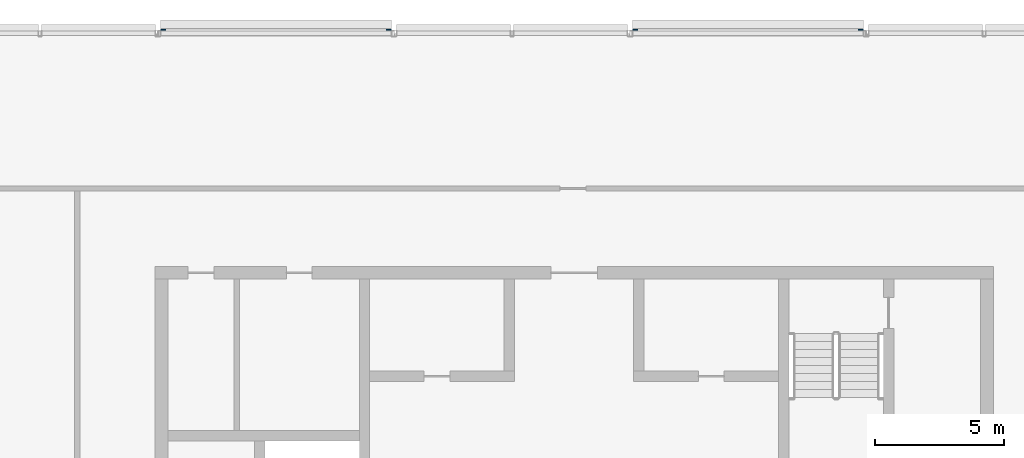
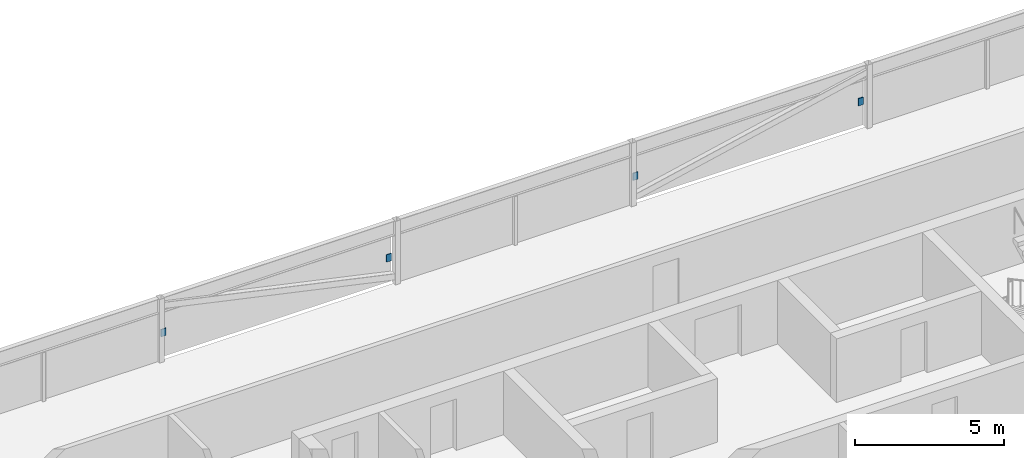
# One storey, part 22 of 27: 4 discrete accessories.
"""IFC4 building model written with IfcOpenShell, lengths in metres."""

from ifc_helpers import new_model, si_unit, direction, frame, origin, origin_2d, place, context, subcontext, project, spatial, rectangle, extrude, material, type_object, element, save


model = new_model("IFC4")

# Units and contexts
model_context = context("Model", 3, precision=1e-05, world=origin(), true_north=direction((0.0, 1.0)))
body_context = subcontext(model_context, "Body", "Model", "MODEL_VIEW")
ifc_project = project(units=[si_unit("LENGTHUNIT", "METRE"), si_unit("AREAUNIT", "SQUARE_METRE"), si_unit("VOLUMEUNIT", "CUBIC_METRE"), si_unit("PLANEANGLEUNIT", "RADIAN"), si_unit("MASSUNIT", "GRAM", prefix="KILO")], contexts=[model_context])

# Site, building, storey
site_placement = place(None, origin())
site = spatial("IfcSite", under=ifc_project, at=site_placement, CompositionType="ELEMENT")
building_placement = place(site_placement, origin())
building = spatial("IfcBuilding", under=site, at=building_placement, Name="Madar Terraces", CompositionType="ELEMENT")
storey_placement = place(building_placement, frame((0.0, 0.0, 314.300048828125)))
storey = spatial("IfcBuildingStorey", under=building, at=storey_placement, Name="L81", CompositionType="ELEMENT", Elevation=314.300048828125)

# Discrete accessories
ifc_material = material(Name="Steel, galvanised", Category="steel")
discrete_accessory_type = type_object("IfcDiscreteAccessoryType", Name="Louvre bank bracket", PredefinedType="BRACKET", material=ifc_material)
for number, where, z_axis, x_axis, name in (
    (1, (42.2783203125, 46.94189453125, 0.84912109375), (0.0, 0.0, 1.0), (-1.0, 0.0, 0.0), "Louvre bank bracket"),
    (2, (33.5615234375, 46.94189453125, 0.84912109375), (0.0, 0.0, 1.0), (-1.0, 0.0, 0.0), "Louvre bank bracket"),
    (3, (24.038330078125, 46.94189453125, 0.84912109375), (0.0, 0.0, 1.0), (-1.0, 0.0, 0.0), "Louvre bank bracket"),
    (4, (15.321533203125, 46.94189453125, 0.84912109375), (0.0, 0.0, 1.0), (-1.0, 0.0, 0.0), "Louvre bank bracket"),
):
    element("IfcDiscreteAccessory", number, at=place(storey_placement, frame(where, z_axis=z_axis, x_axis=x_axis)), inside=storey, type_object=discrete_accessory_type, Name=name, PredefinedType="BRACKET", context=body_context, shape_type="SweptSolid", body=[
        extrude(rectangle(XDim=0.199951171875, YDim=0.030029296875, at=origin_2d()), origin(), (0.0, 0.0, 1.0), 0.300048828125),
    ])

save(model, "model.ifc")
